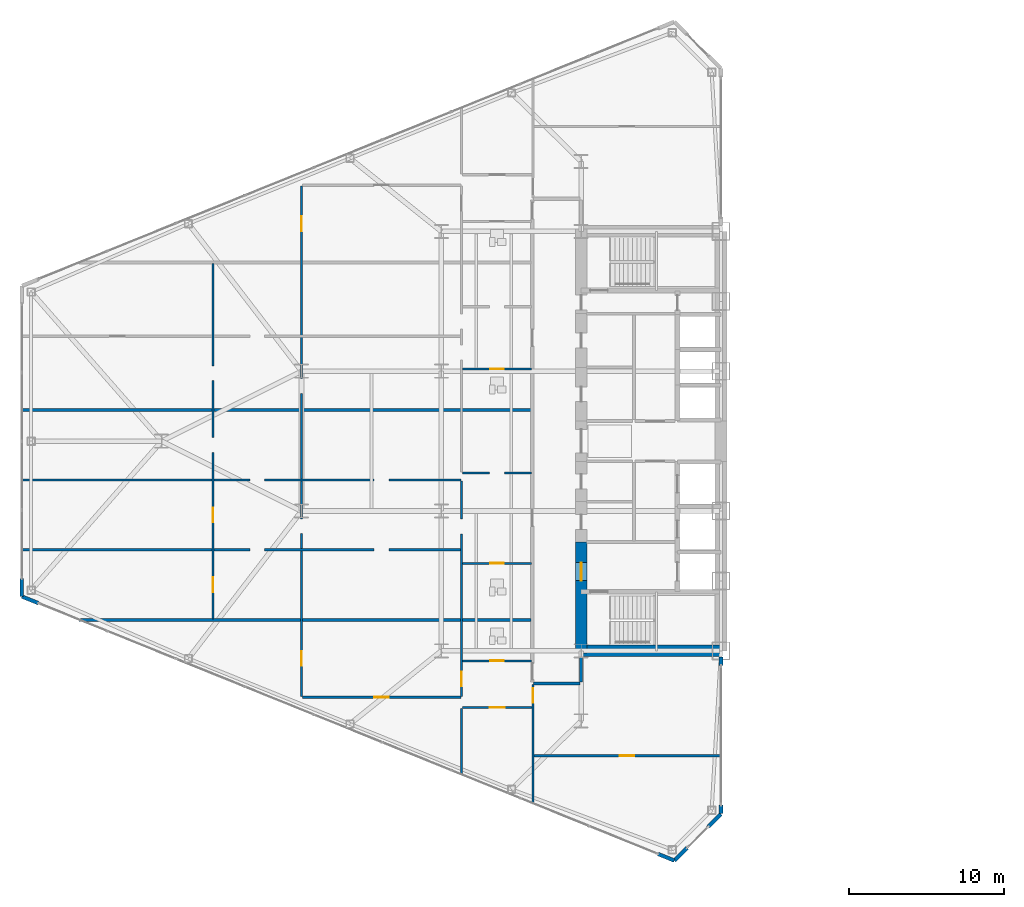
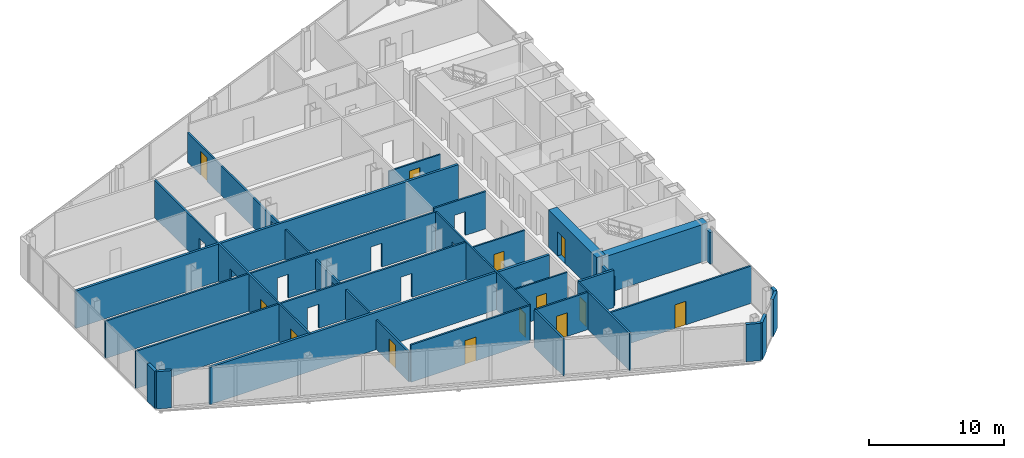
# One storey, part 17 of 25: 27 walls, 13 doors, 23 openings.
"""IFC4 building model written with IfcOpenShell, lengths in metres."""

from ifc_helpers import new_model, si_unit, direction, frame, frame_2d, origin, place, context, subcontext, project, spatial, rectangle, extrude, source, transform, mapped, material, layer, layer_set, type_object, type_shapes, element, fill, save


model = new_model("IFC4")

# Units and contexts
model_context = context("Model", 3, precision=1e-05, world=origin(), true_north=direction((0.0, 1.0)))
body_context = subcontext(model_context, "Body", "Model", "MODEL_VIEW")
ifc_project = project(units=[si_unit("LENGTHUNIT", "METRE"), si_unit("AREAUNIT", "SQUARE_METRE"), si_unit("VOLUMEUNIT", "CUBIC_METRE"), si_unit("PLANEANGLEUNIT", "RADIAN"), si_unit("MASSUNIT", "GRAM", prefix="KILO")], contexts=[model_context])

# Site, building, storey
site_placement = place(None, origin())
site = spatial("IfcSite", under=ifc_project, at=site_placement, CompositionType="ELEMENT")
building_placement = place(site_placement, origin())
building = spatial("IfcBuilding", under=site, at=building_placement, Name="Seokmaru Belvedere", CompositionType="ELEMENT")
storey_placement = place(building_placement, frame((0.0, 0.0, 26.10009765625)))
storey = spatial("IfcBuildingStorey", under=building, at=storey_placement, Name="L06", CompositionType="ELEMENT", Elevation=26.10009765625)

# Wall, opening, door
ifc_material_1 = material(Name="Fire-Rated Gypsum Shaftwall")
ifc_layer_1 = layer(ifc_material_1, 0.14990234375)
ifc_layer_set_1 = layer_set([ifc_layer_1], Name="Fire-Rated Gypsum Shaftwall")
wall_type_1 = type_object("IfcWallType", Name="Apartment Fire-Acoustic Room Partition 150", PredefinedType="PARTITIONING", material=ifc_layer_set_1)
wall_1_placement = place(storey_placement, frame((-39.550048828125, -20.25, 0.0), z_axis=(0.0, 0.0, 1.0), x_axis=(1.0, 0.0, 0.0)))
wall_1 = element("IfcWall", 1, at=wall_1_placement, inside=storey, type_object=wall_type_1, Name="L06 Interior Partition 001", PredefinedType="PARTITIONING", context=body_context, shape_type="SweptSolid", body=[
    extrude(rectangle(XDim=12.0849609375, YDim=0.14990234375, at=frame_2d((6.04248046875, 0.0))), origin(), (0.0, 0.0, 1.0), 3.3798828125),
])
opening_1_placement = place(wall_1_placement, frame((5.52490234375, 0.0, 0.0)))
opening_1 = element("IfcOpeningElement", 2, at=opening_1_placement, cuts=wall_1, Name="Opening D05", PredefinedType="OPENING", context=body_context, shape_type="SweptSolid", body=[
    extrude(rectangle(XDim=0.949951171875, YDim=2.14990234375, at=frame_2d((0.47509765625, 1.074951171875))), frame((0.0, 0.0849609375, 0.0), z_axis=(0.0, -1.0, 0.0), x_axis=(1.0, 0.0, 0.0)), (0.0, 0.0, 1.0), 0.169921875),
])
ifc_material_2 = material(Name="Engineered White Oak Timber", Category="wood")
door_type_1 = type_object("IfcDoorType", Name="Apartment Interior Fire-Rated Oak Door 950x2150", OperationType="NOTDEFINED", PredefinedType="DOOR", material=ifc_material_2)
shared_shape_1 = source(origin(), body_context, "Body", "SweptSolid", [
    extrude(rectangle(XDim=0.949951171875, YDim=2.14990234375, at=frame_2d((0.47509765625, 1.074951171875))), frame((0.0, 0.02490234375, 0.0), z_axis=(0.0, -1.0, 0.0), x_axis=(1.0, 0.0, 0.0)), (0.0, 0.0, 1.0), 0.050048828125),
])
type_shapes(door_type_1, [shared_shape_1])
door_1_placement = place(opening_1_placement, origin())
door_1 = element("IfcDoor", 3, at=door_1_placement, inside=storey, type_object=door_type_1, Name="L06 Interior Door 008", OperationType="SINGLE_SWING_RIGHT", OverallHeight=2.14990234375, OverallWidth=0.949951171875, PredefinedType="DOOR", context=body_context, shape_type="MappedRepresentation", body=[
    mapped(shared_shape_1, transform((0.0, 0.0, 0.0), scale=1.0)),
])
fill(opening_1, door_1)

wall_2_placement = place(storey_placement, frame((-44.14990234375, -17.139892578125, 0.0), z_axis=(0.0, 0.0, 1.0), x_axis=(1.0, 0.0, 0.0)))
wall_2 = element("IfcWall", 4, at=wall_2_placement, inside=storey, type_object=wall_type_1, Name="L06 Interior Partition 003", PredefinedType="PARTITIONING", context=body_context, shape_type="SweptSolid", body=[
    extrude(rectangle(XDim=4.5, YDim=0.14990234375, at=frame_2d((2.25, 0.0))), origin(), (0.0, 0.0, 1.0), 3.3798828125),
])
opening_2_placement = place(wall_2_placement, frame((1.77490234375, 0.0, 0.0)))
opening_2 = element("IfcOpeningElement", 5, at=opening_2_placement, cuts=wall_2, Name="Opening D05", PredefinedType="OPENING", context=body_context, shape_type="SweptSolid", body=[
    extrude(rectangle(XDim=0.949951171875, YDim=2.14990234375, at=frame_2d((0.47509765625, 1.074951171875))), frame((0.0, 0.0849609375, 0.0), z_axis=(0.0, -1.0, 0.0), x_axis=(1.0, 0.0, 0.0)), (0.0, 0.0, 1.0), 0.169921875),
])
door_2_placement = place(opening_2_placement, origin())
door_2 = element("IfcDoor", 6, at=door_2_placement, inside=storey, type_object=door_type_1, Name="L06 Interior Door 003", OperationType="SINGLE_SWING_LEFT", OverallHeight=2.14990234375, OverallWidth=0.949951171875, PredefinedType="DOOR", context=body_context, shape_type="MappedRepresentation", body=[
    mapped(shared_shape_1, transform((0.0, 0.0, 0.0), scale=1.0)),
])
fill(opening_2, door_2)

wall_3_placement = place(storey_placement, frame((-54.449951171875, -16.47998046875, 0.0), z_axis=(0.0, 0.0, 1.0), x_axis=(1.0, 0.0, 0.0)))
wall_3 = element("IfcWall", 7, at=wall_3_placement, inside=storey, type_object=wall_type_1, Name="L06 Interior Partition 005", PredefinedType="PARTITIONING", context=body_context, shape_type="SweptSolid", body=[
    extrude(rectangle(XDim=10.199951171875, YDim=0.14990234375, at=frame_2d((5.10009765625, 0.0))), origin(), (0.0, 0.0, 1.0), 3.3798828125),
])
opening_3_placement = place(wall_3_placement, frame((4.625, 0.0, 0.0)))
opening_3 = element("IfcOpeningElement", 8, at=opening_3_placement, cuts=wall_3, Name="Opening D05", PredefinedType="OPENING", context=body_context, shape_type="SweptSolid", body=[
    extrude(rectangle(XDim=0.949951171875, YDim=2.14990234375, at=frame_2d((0.47509765625, 1.074951171875))), frame((0.0, 0.0849609375, 0.0), z_axis=(0.0, -1.0, 0.0), x_axis=(1.0, 0.0, 0.0)), (0.0, 0.0, 1.0), 0.169921875),
])
door_3_placement = place(opening_3_placement, origin())
door_3 = element("IfcDoor", 9, at=door_3_placement, inside=storey, type_object=door_type_1, Name="L06 Interior Door 007", OperationType="SINGLE_SWING_LEFT", OverallHeight=2.14990234375, OverallWidth=0.949951171875, PredefinedType="DOOR", context=body_context, shape_type="MappedRepresentation", body=[
    mapped(shared_shape_1, transform((0.0, 0.0, 0.0), scale=1.0)),
])
fill(opening_3, door_3)

# Wall, openings
wall_4_placement = place(storey_placement, frame((-72.534912109375, -7.0, 0.0), z_axis=(0.0, 0.0, 1.0), x_axis=(1.0, 0.0, 0.0)))
wall_4 = element("IfcWall", 10, at=wall_4_placement, inside=storey, type_object=wall_type_1, Name="L06 Interior Partition 014", PredefinedType="PARTITIONING", context=body_context, shape_type="SweptSolid", body=[
    extrude(rectangle(XDim=28.284912109375, YDim=0.14990234375, at=frame_2d((14.142578125, 0.0))), origin(), (0.0, 0.0, 1.0), 3.3798828125),
])
opening_4_placement = place(wall_4_placement, frame((22.7099609375, 0.0, 0.0)))
element("IfcOpeningElement", 11, at=opening_4_placement, cuts=wall_4, Name="L06 Cased Opening 014", PredefinedType="OPENING", context=body_context, shape_type="SweptSolid", body=[
    extrude(rectangle(XDim=0.949951171875, YDim=2.14990234375, at=frame_2d((0.47509765625, 1.074951171875))), frame((0.0, 0.0849609375, 0.0), z_axis=(0.0, -1.0, 0.0), x_axis=(1.0, 0.0, 0.0)), (0.0, 0.0, 1.0), 0.169921875),
])
opening_5_placement = place(wall_4_placement, frame((14.7099609375, 0.0, 0.0)))
element("IfcOpeningElement", 12, at=opening_5_placement, cuts=wall_4, Name="L06 Cased Opening 016", PredefinedType="OPENING", context=body_context, shape_type="SweptSolid", body=[
    extrude(rectangle(XDim=0.949951171875, YDim=2.14990234375, at=frame_2d((0.47509765625, 1.074951171875))), frame((0.0, 0.0849609375, 0.0), z_axis=(0.0, -1.0, 0.0), x_axis=(1.0, 0.0, 0.0)), (0.0, 0.0, 1.0), 0.169921875),
])

wall_5_placement = place(storey_placement, frame((-72.534912109375, -2.5, 0.0), z_axis=(0.0, 0.0, 1.0), x_axis=(1.0, 0.0, 0.0)))
wall_5 = element("IfcWall", 13, at=wall_5_placement, inside=storey, type_object=wall_type_1, Name="L06 Interior Partition 016", PredefinedType="PARTITIONING", context=body_context, shape_type="SweptSolid", body=[
    extrude(rectangle(XDim=28.284912109375, YDim=0.14990234375, at=frame_2d((14.142578125, 0.0))), origin(), (0.0, 0.0, 1.0), 3.3798828125),
])
opening_6_placement = place(wall_5_placement, frame((22.7099609375, 0.0, 0.0)))
element("IfcOpeningElement", 14, at=opening_6_placement, cuts=wall_5, Name="L06 Cased Opening 015", PredefinedType="OPENING", context=body_context, shape_type="SweptSolid", body=[
    extrude(rectangle(XDim=0.949951171875, YDim=2.14990234375, at=frame_2d((0.47509765625, 1.074951171875))), frame((0.0, 0.0849609375, 0.0), z_axis=(0.0, -1.0, 0.0), x_axis=(1.0, 0.0, 0.0)), (0.0, 0.0, 1.0), 0.169921875),
])
opening_7_placement = place(wall_5_placement, frame((14.7099609375, 0.0, 0.0)))
element("IfcOpeningElement", 15, at=opening_7_placement, cuts=wall_5, Name="L06 Cased Opening 019", PredefinedType="OPENING", context=body_context, shape_type="SweptSolid", body=[
    extrude(rectangle(XDim=0.949951171875, YDim=2.14990234375, at=frame_2d((0.47509765625, 1.074951171875))), frame((0.0, 0.0849609375, 0.0), z_axis=(0.0, -1.0, 0.0), x_axis=(1.0, 0.0, 0.0)), (0.0, 0.0, 1.0), 0.169921875),
])

# Wall, opening
wall_6_placement = place(storey_placement, frame((-44.14990234375, -2.050048828125, 0.0), z_axis=(0.0, 0.0, 1.0), x_axis=(1.0, 0.0, 0.0)))
wall_6 = element("IfcWall", 16, at=wall_6_placement, inside=storey, type_object=wall_type_1, Name="L06 Interior Partition 018", PredefinedType="PARTITIONING", context=body_context, shape_type="SweptSolid", body=[
    extrude(rectangle(XDim=4.449951171875, YDim=0.14990234375, at=frame_2d((2.22509765625, 0.0))), origin(), (0.0, 0.0, 1.0), 3.3798828125),
])
opening_8_placement = place(wall_6_placement, frame((1.75, 0.0, 0.0)))
element("IfcOpeningElement", 17, at=opening_8_placement, cuts=wall_6, Name="L06 Cased Opening 011", PredefinedType="OPENING", context=body_context, shape_type="SweptSolid", body=[
    extrude(rectangle(XDim=0.949951171875, YDim=2.14990234375, at=frame_2d((0.47509765625, 1.074951171875))), frame((0.0, 0.0849609375, 0.0), z_axis=(0.0, -1.0, 0.0), x_axis=(1.0, 0.0, 0.0)), (0.0, 0.0, 1.0), 0.169921875),
])

# Wall, openings, doors
wall_7_placement = place(storey_placement, frame((-60.199951171875, -11.449951171875, 0.0), z_axis=(0.0, 0.0, 1.0), x_axis=(0.0, 1.0, 0.0)))
wall_7 = element("IfcWall", 18, at=wall_7_placement, inside=storey, type_object=wall_type_1, Name="L06 Interior Partition 039", PredefinedType="PARTITIONING", context=body_context, shape_type="SweptSolid", body=[
    extrude(rectangle(XDim=22.89990234375, YDim=0.14990234375, at=frame_2d((11.449951171875, 0.0))), origin(), (0.0, 0.0, 1.0), 3.3798828125),
])
opening_9_placement = place(wall_7_placement, frame((1.72509765625, 0.0, 0.0)))
opening_9 = element("IfcOpeningElement", 19, at=opening_9_placement, cuts=wall_7, Name="Opening D05", PredefinedType="OPENING", context=body_context, shape_type="SweptSolid", body=[
    extrude(rectangle(XDim=0.949951171875, YDim=2.14990234375, at=frame_2d((0.47509765625, 1.074951171875))), frame((0.0, 0.0849609375, 0.0), z_axis=(0.0, -1.0, 0.0), x_axis=(1.0, 0.0, 0.0)), (0.0, 0.0, 1.0), 0.169921875),
])
opening_10_placement = place(wall_7_placement, frame((6.22509765625, 0.0, 0.0)))
opening_10 = element("IfcOpeningElement", 20, at=opening_10_placement, cuts=wall_7, Name="Opening D05", PredefinedType="OPENING", context=body_context, shape_type="SweptSolid", body=[
    extrude(rectangle(XDim=0.949951171875, YDim=2.14990234375, at=frame_2d((0.47509765625, 1.074951171875))), frame((0.0, 0.0849609375, 0.0), z_axis=(0.0, -1.0, 0.0), x_axis=(1.0, 0.0, 0.0)), (0.0, 0.0, 1.0), 0.169921875),
])
opening_11_placement = place(wall_7_placement, frame((10.72509765625, 0.0, 0.0)))
element("IfcOpeningElement", 21, at=opening_11_placement, cuts=wall_7, Name="L06 Cased Opening 020", PredefinedType="OPENING", context=body_context, shape_type="SweptSolid", body=[
    extrude(rectangle(XDim=0.949951171875, YDim=2.14990234375, at=frame_2d((0.47509765625, 1.074951171875))), frame((0.0, 0.0849609375, 0.0), z_axis=(0.0, -1.0, 0.0), x_axis=(1.0, 0.0, 0.0)), (0.0, 0.0, 1.0), 0.169921875),
])
opening_12_placement = place(wall_7_placement, frame((15.35009765625, 0.0, 0.0)))
element("IfcOpeningElement", 22, at=opening_12_placement, cuts=wall_7, Name="L06 Cased Opening 027", PredefinedType="OPENING", context=body_context, shape_type="SweptSolid", body=[
    extrude(rectangle(XDim=0.949951171875, YDim=2.14990234375, at=frame_2d((0.47509765625, 1.074951171875))), frame((0.0, 0.0849609375, 0.0), z_axis=(0.0, -1.0, 0.0), x_axis=(1.0, 0.0, 0.0)), (0.0, 0.0, 1.0), 0.169921875),
])
door_4_placement = place(opening_9_placement, origin())
door_4 = element("IfcDoor", 23, at=door_4_placement, inside=storey, type_object=door_type_1, Name="L06 Interior Door 017", OperationType="SINGLE_SWING_RIGHT", OverallHeight=2.14990234375, OverallWidth=0.949951171875, PredefinedType="DOOR", context=body_context, shape_type="MappedRepresentation", body=[
    mapped(shared_shape_1, transform((0.0, 0.0, 0.0), scale=1.0)),
])
fill(opening_9, door_4)
door_5_placement = place(opening_10_placement, origin())
door_5 = element("IfcDoor", 24, at=door_5_placement, inside=storey, type_object=door_type_1, Name="L06 Interior Door 018", OperationType="SINGLE_SWING_RIGHT", OverallHeight=2.14990234375, OverallWidth=0.949951171875, PredefinedType="DOOR", context=body_context, shape_type="MappedRepresentation", body=[
    mapped(shared_shape_1, transform((0.0, 0.0, 0.0), scale=1.0)),
])
fill(opening_10, door_5)

wall_8_placement = place(storey_placement, frame((-54.5, -16.427001953125, 0.0), z_axis=(0.0, 0.0, 1.0), x_axis=(0.0, 1.0, 0.0)))
wall_8 = element("IfcWall", 25, at=wall_8_placement, inside=storey, type_object=wall_type_1, Name="L06 Interior Partition 040", PredefinedType="PARTITIONING", context=body_context, shape_type="SweptSolid", body=[
    extrude(rectangle(XDim=32.85400390625, YDim=0.14990234375, at=frame_2d((16.427001953125, 0.0))), origin(), (0.0, 0.0, 1.0), 2.679931640625),
])
opening_13_placement = place(wall_8_placement, frame((1.96337890625, 0.0, 0.0)))
opening_13 = element("IfcOpeningElement", 26, at=opening_13_placement, cuts=wall_8, Name="Opening D05", PredefinedType="OPENING", context=body_context, shape_type="SweptSolid", body=[
    extrude(rectangle(XDim=0.949951171875, YDim=2.14990234375, at=frame_2d((0.47509765625, 1.074951171875))), frame((0.0, 0.0849609375, 0.0), z_axis=(0.0, -1.0, 0.0), x_axis=(1.0, 0.0, 0.0)), (0.0, 0.0, 1.0), 0.169921875),
])
opening_14_placement = place(wall_8_placement, frame((10.469970703125, 0.0, 0.0)))
element("IfcOpeningElement", 27, at=opening_14_placement, cuts=wall_8, Name="L06 Cased Opening 013", PredefinedType="OPENING", context=body_context, shape_type="SweptSolid", body=[
    extrude(rectangle(XDim=0.949951171875, YDim=2.14990234375, at=frame_2d((0.47509765625, 1.074951171875))), frame((0.0, 0.0849609375, 0.0), z_axis=(0.0, -1.0, 0.0), x_axis=(1.0, 0.0, 0.0)), (0.0, 0.0, 1.0), 0.169921875),
])
opening_15_placement = place(wall_8_placement, frame((19.50390625, 0.0, 0.0)))
element("IfcOpeningElement", 28, at=opening_15_placement, cuts=wall_8, Name="L06 Cased Opening 026", PredefinedType="OPENING", context=body_context, shape_type="SweptSolid", body=[
    extrude(rectangle(XDim=0.949951171875, YDim=2.14990234375, at=frame_2d((0.47509765625, 1.074951171875))), frame((0.0, 0.0849609375, 0.0), z_axis=(0.0, -1.0, 0.0), x_axis=(1.0, 0.0, 0.0)), (0.0, 0.0, 1.0), 0.169921875),
])
opening_16_placement = place(wall_8_placement, frame((29.940673828125, 0.0, 0.0)))
opening_16 = element("IfcOpeningElement", 29, at=opening_16_placement, cuts=wall_8, Name="Opening D05", PredefinedType="OPENING", context=body_context, shape_type="SweptSolid", body=[
    extrude(rectangle(XDim=0.949951171875, YDim=2.14990234375, at=frame_2d((0.47509765625, 1.074951171875))), frame((0.0, 0.0849609375, 0.0), z_axis=(0.0, -1.0, 0.0), x_axis=(1.0, 0.0, 0.0)), (0.0, 0.0, 1.0), 0.169921875),
])
door_6_placement = place(opening_13_placement, origin())
door_6 = element("IfcDoor", 30, at=door_6_placement, inside=storey, type_object=door_type_1, Name="L06 Interior Door 006", OperationType="SINGLE_SWING_RIGHT", OverallHeight=2.14990234375, OverallWidth=0.949951171875, PredefinedType="DOOR", context=body_context, shape_type="MappedRepresentation", body=[
    mapped(shared_shape_1, transform((0.0, 0.0, 0.0), scale=1.0)),
])
fill(opening_13, door_6)
door_7_placement = place(opening_16_placement, origin())
door_7 = element("IfcDoor", 31, at=door_7_placement, inside=storey, type_object=door_type_1, Name="L06 Interior Door 035", OperationType="SINGLE_SWING_RIGHT", OverallHeight=2.14990234375, OverallWidth=0.949951171875, PredefinedType="DOOR", context=body_context, shape_type="MappedRepresentation", body=[
    mapped(shared_shape_1, transform((0.0, 0.0, 0.0), scale=1.0)),
])
fill(opening_16, door_7)

# Wall
wall_9_placement = place(storey_placement, frame((-44.199951171875, -21.489990234375, 0.0), z_axis=(0.0, 0.0, 1.0), x_axis=(0.0, 1.0, 0.0)))
element("IfcWall", 32, at=wall_9_placement, inside=storey, type_object=wall_type_1, Name="L06 Interior Partition 041", PredefinedType="PARTITIONING", context=body_context, shape_type="SweptSolid", body=[
    extrude(rectangle(XDim=4.294921875, YDim=0.14990234375, at=frame_2d((2.1474609375, 0.0))), origin(), (0.0, 0.0, 1.0), 3.3798828125),
])

# Wall, opening, door
wall_10_placement = place(storey_placement, frame((-39.60009765625, -23.35205078125, 0.0), z_axis=(0.0, 0.0, 1.0), x_axis=(0.0, 1.0, 0.0)))
wall_10 = element("IfcWall", 33, at=wall_10_placement, inside=storey, type_object=wall_type_1, Name="L06 Interior Partition 046", PredefinedType="PARTITIONING", context=body_context, shape_type="SweptSolid", body=[
    extrude(rectangle(XDim=7.7021484375, YDim=0.14990234375, at=frame_2d((3.85107421875, 0.0))), origin(), (0.0, 0.0, 1.0), 3.3798828125),
])
opening_17_placement = place(wall_10_placement, frame((6.50439453125, 0.0, 0.0)))
opening_17 = element("IfcOpeningElement", 34, at=opening_17_placement, cuts=wall_10, Name="Opening D05", PredefinedType="OPENING", context=body_context, shape_type="SweptSolid", body=[
    extrude(rectangle(XDim=0.949951171875, YDim=2.14990234375, at=frame_2d((0.47509765625, 1.074951171875))), frame((0.0, 0.0849609375, 0.0), z_axis=(0.0, -1.0, 0.0), x_axis=(1.0, 0.0, 0.0)), (0.0, 0.0, 1.0), 0.169921875),
])
door_8_placement = place(opening_17_placement, origin())
door_8 = element("IfcDoor", 35, at=door_8_placement, inside=storey, type_object=door_type_1, Name="L06 Interior Door 005", OperationType="SINGLE_SWING_RIGHT", OverallHeight=2.14990234375, OverallWidth=0.949951171875, PredefinedType="DOOR", context=body_context, shape_type="MappedRepresentation", body=[
    mapped(shared_shape_1, transform((0.0, 0.0, 0.0), scale=1.0)),
])
fill(opening_17, door_8)

# Walls
ifc_layer_2 = layer(ifc_material_1, 0.199951171875)
ifc_layer_set_2 = layer_set([ifc_layer_2], Name="Fire-Rated Gypsum Shaftwall")
wall_type_2 = type_object("IfcWallType", Name="Inter-Tenancy Fire Compartment Partition 200", PredefinedType="PARTITIONING", material=ifc_layer_set_2)
wall_11_placement = place(storey_placement, frame((-39.56494140625, -15.60009765625, 0.0), z_axis=(0.0, 0.0, 1.0), x_axis=(1.0, 0.0, 0.0)))
element("IfcWall", 36, at=wall_11_placement, inside=storey, type_object=wall_type_2, Name="L06 Interior Partition 006", PredefinedType="PARTITIONING", context=body_context, shape_type="SweptSolid", body=[
    extrude(rectangle(XDim=2.97998046875, YDim=0.199951171875, at=frame_2d((1.489990234375, 0.0))), origin(), (0.0, 0.0, 1.0), 3.3798828125),
])
wall_12_placement = place(storey_placement, frame((-68.806884765625, -11.5, 0.0), z_axis=(0.0, 0.0, 1.0), x_axis=(1.0, 0.0, 0.0)))
element("IfcWall", 37, at=wall_12_placement, inside=storey, type_object=wall_type_2, Name="L06 Interior Partition 011", PredefinedType="PARTITIONING", context=body_context, shape_type="SweptSolid", body=[
    extrude(rectangle(XDim=29.076904296875, YDim=0.199951171875, at=frame_2d((14.53857421875, 0.0))), origin(), (0.0, 0.0, 1.0), 3.3798828125),
])
wall_13_placement = place(storey_placement, frame((-72.5048828125, 2.0, 0.0), z_axis=(0.0, 0.0, 1.0), x_axis=(1.0, 0.0, 0.0)))
element("IfcWall", 38, at=wall_13_placement, inside=storey, type_object=wall_type_2, Name="L06 Interior Partition 020", PredefinedType="PARTITIONING", context=body_context, shape_type="SweptSolid", body=[
    extrude(rectangle(XDim=32.77490234375, YDim=0.199951171875, at=frame_2d((16.387451171875, 0.0))), origin(), (0.0, 0.0, 1.0), 3.3798828125),
])
wall_14_placement = place(storey_placement, frame((-36.5, -15.514892578125, 0.0), z_axis=(0.0, 0.0, 1.0), x_axis=(0.0, 1.0, 0.0)))
element("IfcWall", 39, at=wall_14_placement, inside=storey, type_object=wall_type_2, Name="L06 Interior Partition 048", PredefinedType="PARTITIONING", context=body_context, shape_type="SweptSolid", body=[
    extrude(rectangle(XDim=1.635009765625, YDim=0.199951171875, at=frame_2d((0.8173828125, 0.0))), origin(), (0.0, 0.0, 1.0), 2.679931640625),
])
ifc_material_3 = material(Name="Concrete C60 (60 MPa)", Category="concrete")
ifc_layer_3 = layer(ifc_material_3, 0.75)
ifc_layer_set_3 = layer_set([ifc_layer_3], Name="Concrete C60 (60 MPa)")
wall_type_3 = type_object("IfcWallType", Name="Lower Tower Reinforced Concrete Core Wall 750", PredefinedType="SHEAR", material=ifc_layer_set_3)
wall_15_placement = place(storey_placement, frame((-36.5, -13.5, 0.0), z_axis=(0.0, 0.0, 1.0), x_axis=(1.0, 0.0, 0.0)))
element("IfcWall", 40, at=wall_15_placement, inside=storey, type_object=wall_type_3, Name="L06 West South Core Wall", PredefinedType="SHEAR", context=body_context, shape_type="SweptSolid", body=[
    extrude(rectangle(XDim=9.0, YDim=0.75, at=frame_2d((4.5, 0.0))), origin(), (0.0, 0.0, 1.0), 3.3798828125),
])

# Wall, opening, door
wall_16_placement = place(storey_placement, frame((-36.5, -13.64990234375, 0.0), z_axis=(0.0, 0.0, 1.0), x_axis=(0.0, 1.0, 0.0)))
wall_16 = element("IfcWall", 41, at=wall_16_placement, inside=storey, type_object=wall_type_3, Name="L06 West West Core Wall FF", PredefinedType="SHEAR", context=body_context, shape_type="SweptSolid", body=[
    extrude(rectangle(XDim=7.14990234375, YDim=0.75, at=frame_2d((3.574951171875, 0.0))), origin(), (0.0, 0.0, 1.0), 3.3798828125),
])
opening_18_placement = place(wall_16_placement, frame((4.675048828125, 0.0, 0.0)))
opening_18 = element("IfcOpeningElement", 42, at=opening_18_placement, cuts=wall_16, Name="Opening D02", PredefinedType="OPENING", context=body_context, shape_type="SweptSolid", body=[
    extrude(rectangle(XDim=1.14990234375, YDim=2.199951171875, at=frame_2d((0.574951171875, 1.10009765625))), frame((0.0, 0.385009765625, 0.0), z_axis=(0.0, -1.0, 0.0), x_axis=(1.0, 0.0, 0.0)), (0.0, 0.0, 1.0), 0.77001953125),
])
ifc_material_4 = material(Name="Fire-Rated Steel Leaf", Category="steel")
door_type_2 = type_object("IfcDoorType", Name="Lobby and Vestibule Fire Door 1150x2200", OperationType="NOTDEFINED", PredefinedType="DOOR", material=ifc_material_4)
shared_shape_2 = source(origin(), body_context, "Body", "SweptSolid", [
    extrude(rectangle(XDim=1.14990234375, YDim=2.199951171875, at=frame_2d((0.574951171875, 1.10009765625))), frame((0.0, 0.02490234375, 0.0), z_axis=(0.0, -1.0, 0.0), x_axis=(1.0, 0.0, 0.0)), (0.0, 0.0, 1.0), 0.050048828125),
])
type_shapes(door_type_2, [shared_shape_2])
door_9_placement = place(opening_18_placement, frame((1.14990234375, 0.0, 0.0), z_axis=(0.0, 0.0, 1.0), x_axis=(-1.0, 0.0, 0.0)))
door_9 = element("IfcDoor", 43, at=door_9_placement, inside=storey, type_object=door_type_2, Name="L06 West Firefighting Lobby Door", OperationType="SINGLE_SWING_LEFT", OverallHeight=2.199951171875, OverallWidth=1.14990234375, PredefinedType="DOOR", context=body_context, shape_type="MappedRepresentation", body=[
    mapped(shared_shape_2, transform((0.0, 0.0, 0.0), scale=1.0)),
])
fill(opening_18, door_9)

ifc_layer_4 = layer(ifc_material_1, 0.1298828125)
ifc_layer_set_4 = layer_set([ifc_layer_4], Name="Fire-Rated Gypsum Shaftwall")
wall_type_4 = type_object("IfcWallType", Name="Moisture-Resistant Fire-Rated Bathroom Partition 130", PredefinedType="PARTITIONING", material=ifc_layer_set_4)
wall_17_placement = place(storey_placement, frame((-44.14990234375, -14.139892578125, 0.0), z_axis=(0.0, 0.0, 1.0), x_axis=(1.0, 0.0, 0.0)))
wall_17 = element("IfcWall", 44, at=wall_17_placement, inside=storey, type_object=wall_type_4, Name="L06 Interior Partition 008", PredefinedType="PARTITIONING", context=body_context, shape_type="SweptSolid", body=[
    extrude(rectangle(XDim=4.449951171875, YDim=0.1298828125, at=frame_2d((2.22509765625, 0.0))), origin(), (0.0, 0.0, 1.0), 3.3798828125),
])
opening_19_placement = place(wall_17_placement, frame((1.784912109375, 0.0, 0.0)))
opening_19 = element("IfcOpeningElement", 45, at=opening_19_placement, cuts=wall_17, Name="Opening D06", PredefinedType="OPENING", context=body_context, shape_type="SweptSolid", body=[
    extrude(rectangle(XDim=0.8798828125, YDim=2.10009765625, at=frame_2d((0.43994140625, 1.050048828125))), frame((0.0, 0.074951171875, 0.0), z_axis=(0.0, -1.0, 0.0), x_axis=(1.0, 0.0, 0.0)), (0.0, 0.0, 1.0), 0.14990234375),
])
door_type_3 = type_object("IfcDoorType", Name="Bathroom and Restroom Fire-Rated Door 880x2100", OperationType="NOTDEFINED", PredefinedType="DOOR", material=ifc_material_2)
shared_shape_3 = source(origin(), body_context, "Body", "SweptSolid", [
    extrude(rectangle(XDim=0.8798828125, YDim=2.10009765625, at=frame_2d((0.43994140625, 1.050048828125))), frame((0.0, 0.02490234375, 0.0), z_axis=(0.0, -1.0, 0.0), x_axis=(1.0, 0.0, 0.0)), (0.0, 0.0, 1.0), 0.050048828125),
])
type_shapes(door_type_3, [shared_shape_3])
door_10_placement = place(opening_19_placement, origin())
door_10 = element("IfcDoor", 46, at=door_10_placement, inside=storey, type_object=door_type_3, Name="L06 Interior Door 002", OperationType="SINGLE_SWING_LEFT", OverallHeight=2.10009765625, OverallWidth=0.8798828125, PredefinedType="DOOR", context=body_context, shape_type="MappedRepresentation", body=[
    mapped(shared_shape_3, transform((0.0, 0.0, 0.0), scale=1.0)),
])
fill(opening_19, door_10)

wall_18_placement = place(storey_placement, frame((-44.14990234375, -7.860107421875, 0.0), z_axis=(0.0, 0.0, 1.0), x_axis=(1.0, 0.0, 0.0)))
wall_18 = element("IfcWall", 47, at=wall_18_placement, inside=storey, type_object=wall_type_4, Name="L06 Interior Partition 013", PredefinedType="PARTITIONING", context=body_context, shape_type="SweptSolid", body=[
    extrude(rectangle(XDim=4.449951171875, YDim=0.1298828125, at=frame_2d((2.22509765625, 0.0))), origin(), (0.0, 0.0, 1.0), 3.3798828125),
])
opening_20_placement = place(wall_18_placement, frame((1.784912109375, 0.0, 0.0)))
opening_20 = element("IfcOpeningElement", 48, at=opening_20_placement, cuts=wall_18, Name="Opening D06", PredefinedType="OPENING", context=body_context, shape_type="SweptSolid", body=[
    extrude(rectangle(XDim=0.8798828125, YDim=2.10009765625, at=frame_2d((0.43994140625, 1.050048828125))), frame((0.0, 0.074951171875, 0.0), z_axis=(0.0, -1.0, 0.0), x_axis=(1.0, 0.0, 0.0)), (0.0, 0.0, 1.0), 0.14990234375),
])
door_11_placement = place(opening_20_placement, origin())
door_11 = element("IfcDoor", 49, at=door_11_placement, inside=storey, type_object=door_type_3, Name="L06 Interior Door 010", OperationType="SINGLE_SWING_LEFT", OverallHeight=2.10009765625, OverallWidth=0.8798828125, PredefinedType="DOOR", context=body_context, shape_type="MappedRepresentation", body=[
    mapped(shared_shape_3, transform((0.0, 0.0, 0.0), scale=1.0)),
])
fill(opening_20, door_11)

wall_19_placement = place(storey_placement, frame((-44.14990234375, 4.639892578125, 0.0), z_axis=(0.0, 0.0, 1.0), x_axis=(1.0, 0.0, 0.0)))
wall_19 = element("IfcWall", 50, at=wall_19_placement, inside=storey, type_object=wall_type_4, Name="L06 Interior Partition 023", PredefinedType="PARTITIONING", context=body_context, shape_type="SweptSolid", body=[
    extrude(rectangle(XDim=4.449951171875, YDim=0.1298828125, at=frame_2d((2.22509765625, 0.0))), origin(), (0.0, 0.0, 1.0), 2.679931640625),
])
opening_21_placement = place(wall_19_placement, frame((1.784912109375, 0.0, 0.0)))
opening_21 = element("IfcOpeningElement", 51, at=opening_21_placement, cuts=wall_19, Name="Opening D06", PredefinedType="OPENING", context=body_context, shape_type="SweptSolid", body=[
    extrude(rectangle(XDim=0.8798828125, YDim=2.10009765625, at=frame_2d((0.43994140625, 1.050048828125))), frame((0.0, 0.074951171875, 0.0), z_axis=(0.0, -1.0, 0.0), x_axis=(1.0, 0.0, 0.0)), (0.0, 0.0, 1.0), 0.14990234375),
])
door_12_placement = place(opening_21_placement, origin())
door_12 = element("IfcDoor", 52, at=door_12_placement, inside=storey, type_object=door_type_3, Name="L06 Interior Door 022", OperationType="SINGLE_SWING_LEFT", OverallHeight=2.10009765625, OverallWidth=0.8798828125, PredefinedType="DOOR", context=body_context, shape_type="MappedRepresentation", body=[
    mapped(shared_shape_3, transform((0.0, 0.0, 0.0), scale=1.0)),
])
fill(opening_21, door_12)

# Wall, openings, door
wall_20_placement = place(storey_placement, frame((-44.199951171875, -16.427001953125, 0.0), z_axis=(0.0, 0.0, 1.0), x_axis=(0.0, 1.0, 0.0)))
wall_20 = element("IfcWall", 53, at=wall_20_placement, inside=storey, type_object=wall_type_4, Name="L06 Interior Partition 042", PredefinedType="PARTITIONING", context=body_context, shape_type="SweptSolid", body=[
    extrude(rectangle(XDim=13.876953125, YDim=0.1298828125, at=frame_2d((6.9384765625, 0.0))), origin(), (0.0, 0.0, 1.0), 3.3798828125),
])
opening_22_placement = place(wall_20_placement, frame((0.640869140625, 0.0, 0.0)))
opening_22 = element("IfcOpeningElement", 54, at=opening_22_placement, cuts=wall_20, Name="Opening D05", PredefinedType="OPENING", context=body_context, shape_type="SweptSolid", body=[
    extrude(rectangle(XDim=0.949951171875, YDim=2.14990234375, at=frame_2d((0.47509765625, 1.074951171875))), frame((0.0, 0.074951171875, 0.0), z_axis=(0.0, -1.0, 0.0), x_axis=(1.0, 0.0, 0.0)), (0.0, 0.0, 1.0), 0.14990234375),
])
opening_23_placement = place(wall_20_placement, frame((10.45361328125, 0.0, 0.0)))
element("IfcOpeningElement", 55, at=opening_23_placement, cuts=wall_20, Name="L06 Cased Opening 012", PredefinedType="OPENING", context=body_context, shape_type="SweptSolid", body=[
    extrude(rectangle(XDim=0.949951171875, YDim=2.14990234375, at=frame_2d((0.47509765625, 1.074951171875))), frame((0.0, 0.074951171875, 0.0), z_axis=(0.0, -1.0, 0.0), x_axis=(1.0, 0.0, 0.0)), (0.0, 0.0, 1.0), 0.14990234375),
])
door_13_placement = place(opening_22_placement, origin())
door_13 = element("IfcDoor", 56, at=door_13_placement, inside=storey, type_object=door_type_1, Name="L06 Interior Door 004", OperationType="SINGLE_SWING_RIGHT", OverallHeight=2.14990234375, OverallWidth=0.949951171875, PredefinedType="DOOR", context=body_context, shape_type="MappedRepresentation", body=[
    mapped(shared_shape_1, transform((0.0, 0.0, 0.0), scale=1.0)),
])
fill(opening_22, door_13)

# Walls
ifc_material_5 = material(Name="Anodised Bronze Aluminium", Category="aluminium")
ifc_layer_5 = layer(ifc_material_5, 0.239990234375)
ifc_layer_set_5 = layer_set([ifc_layer_5], Name="Anodised Bronze Aluminium")
wall_type_5 = type_object("IfcWallType", Name="Tower Corner Spandrel Closure Wall 240", PredefinedType="SOLIDWALL", material=ifc_layer_set_5)
wall_21_placement = place(storey_placement, frame((-27.5, -23.97998046875, 0.0), z_axis=(0.0, 0.0, 1.0), x_axis=(0.0, 1.0, 0.0)))
element("IfcWall", 57, at=wall_21_placement, inside=storey, type_object=wall_type_5, Name="L06 W Spine Closure Pier 1A", PredefinedType="SOLIDWALL", context=body_context, shape_type="SweptSolid", body=[
    extrude(rectangle(XDim=0.550048828125, YDim=0.239990234375, at=frame_2d((0.27490234375, 0.0))), origin(), (0.0, 0.0, 1.0), 3.3798828125),
])
wall_22_placement = place(storey_placement, frame((-27.5, -14.429931640625, 0.0), z_axis=(0.0, 0.0, 1.0), x_axis=(0.0, 1.0, 0.0)))
element("IfcWall", 58, at=wall_22_placement, inside=storey, type_object=wall_type_5, Name="L06 W Spine Closure Pier 1B", PredefinedType="SOLIDWALL", context=body_context, shape_type="SweptSolid", body=[
    extrude(rectangle(XDim=0.550048828125, YDim=0.239990234375, at=frame_2d((0.27490234375, 0.0))), origin(), (0.0, 0.0, 1.0), 2.8798828125),
])
for number, where, z_axis, x_axis, name in (
    (59, (-72.5, -8.85009765625, 0.0), (0.0, 0.0, 1.0), (0.0, -1.0, 0.0), "L06 W Corner Closure Pier 4B"),
    (60, (-72.49072265625, -10.00390625, 0.0), (0.0, 0.0, 1.0), (0.927007103665, -0.375043770452, 0.0), "L06 W Corner Closure Pier 5A"),
    (61, (-31.56591796875, -26.568603515625, 0.0), (0.0, 0.0, 1.0), (0.927007103665, -0.375043770452, 0.0), "L06 W Corner Closure Pier 5B"),
):
    element("IfcWall", number, at=place(storey_placement, frame(where, z_axis=z_axis, x_axis=x_axis)), inside=storey, type_object=wall_type_5, Name=name, PredefinedType="SOLIDWALL", context=body_context, shape_type="SweptSolid", body=[
        extrude(rectangle(XDim=1.139892578125, YDim=0.239990234375, at=frame_2d((0.56982421875, 0.0))), origin(), (0.0, 0.0, 1.0), 3.3798828125),
    ])
for number, where, z_axis, x_axis, name in (
    (62, (-30.492919921875, -26.992919921875, 0.0), (0.0, 0.0, 1.0), (0.707106781187, 0.707106781187, 0.0), "L06 W Corner Closure Pier 6A"),
    (63, (-28.313232421875, -24.813232421875, 0.0), (0.0, 0.0, 1.0), (0.707106781187, 0.707106781187, 0.0), "L06 W Corner Closure Pier 6B"),
):
    element("IfcWall", number, at=place(storey_placement, frame(where, z_axis=z_axis, x_axis=x_axis)), inside=storey, type_object=wall_type_5, Name=name, PredefinedType="SOLIDWALL", context=body_context, shape_type="SweptSolid", body=[
        extrude(rectangle(XDim=1.14013671875, YDim=0.239990234375, at=frame_2d((0.570068359375, 0.0))), origin(), (0.0, 0.0, 1.0), 3.3798828125),
    ])

save(model, "model.ifc")
